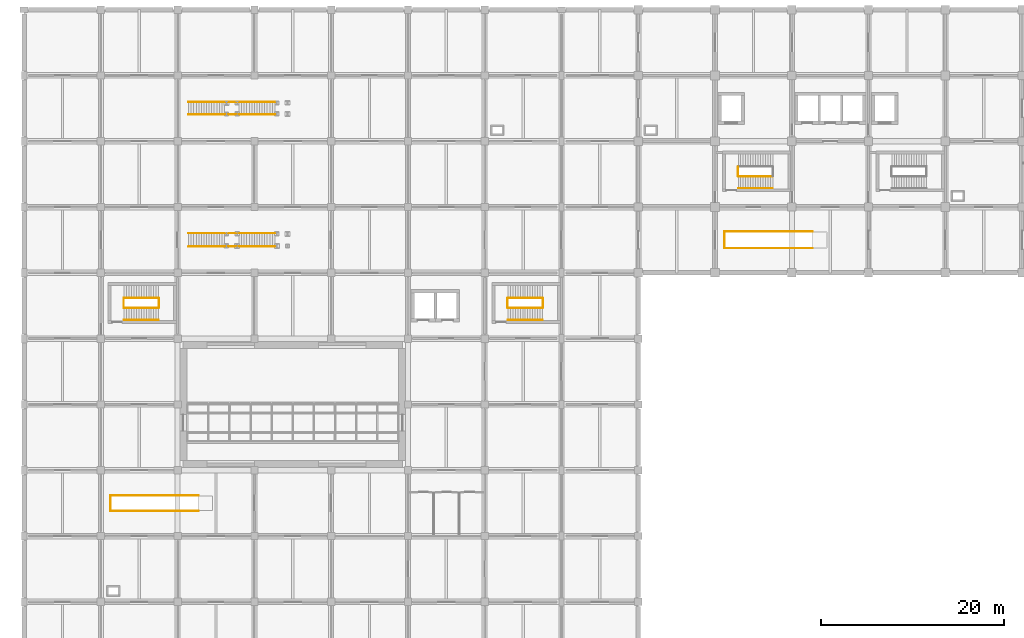
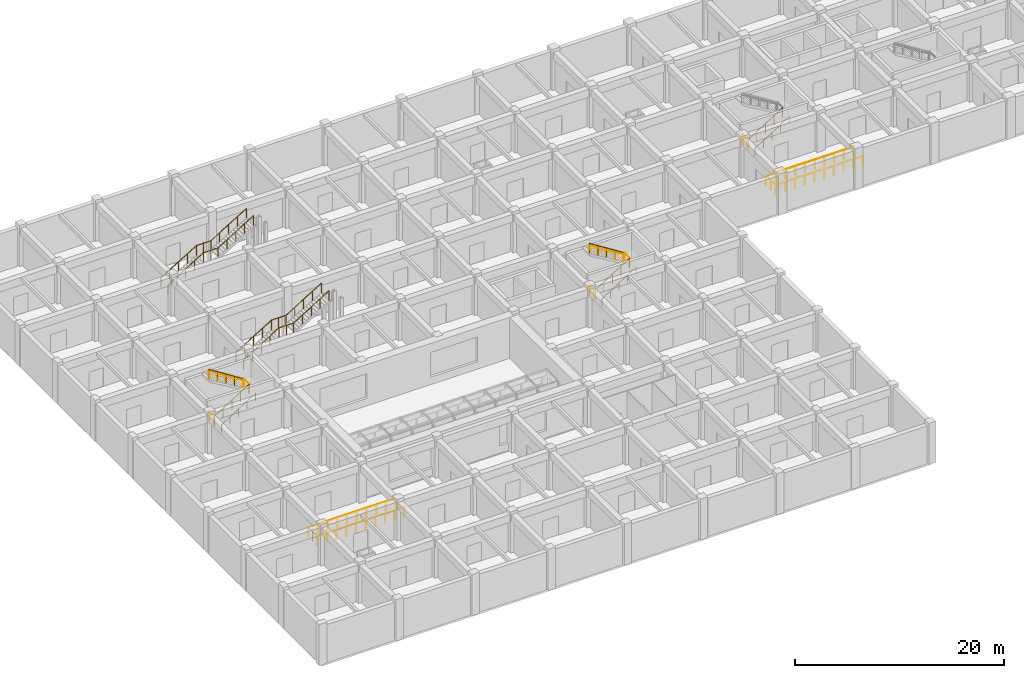
# One storey, part 31 of 32: 33 railings.
"""IFC4 building model written with IfcOpenShell, lengths in metres."""

from ifc_helpers import new_model, si_unit, derived_unit, direction, frame, origin, origin_2d, place, context, subcontext, project, spatial, circle, extrude, material, layer, layer_set, type_object, element, save


model = new_model("IFC4")

# Units and contexts
model_context = context("Model", 3, precision=1e-05, world=origin(), true_north=direction((0.0, 1.0)))
body_context = subcontext(model_context, "Body", "Model", "MODEL_VIEW")
ifc_project = project(units=[si_unit("LENGTHUNIT", "METRE"), si_unit("AREAUNIT", "SQUARE_METRE"), si_unit("VOLUMEUNIT", "CUBIC_METRE"), si_unit("PLANEANGLEUNIT", "RADIAN"), si_unit("MASSUNIT", "GRAM", prefix="KILO"), derived_unit("THERMALTRANSMITTANCEUNIT", [(si_unit("MASSUNIT", "GRAM", prefix="KILO"), 1), (si_unit("TIMEUNIT", "SECOND"), -3), (si_unit("THERMODYNAMICTEMPERATUREUNIT", "KELVIN"), -1)])], contexts=[model_context])

# Site, building, storey
site_placement = place(None, origin())
site = spatial("IfcSite", under=ifc_project, at=site_placement, CompositionType="ELEMENT")
building_placement = place(site_placement, origin())
building = spatial("IfcBuilding", under=site, at=building_placement, Name="Veldstrom Oceanarium and Marine Research Institute", CompositionType="ELEMENT")
storey_placement = place(building_placement, frame((0.0, 0.0, -4.800048828125)))
storey = spatial("IfcBuildingStorey", under=building, at=storey_placement, Name="B01", CompositionType="ELEMENT", Elevation=-4.800048828125)

# Railings
ifc_material_1 = material(Name="Duplex Stainless Steel Balustrade", Category="steel")
ifc_layer_1 = layer(ifc_material_1, 0.06005859375)
ifc_layer_set_1 = layer_set([ifc_layer_1], Name="ARC-RLG-GR1")
railing_type_1 = type_object("IfcRailingType", Name="ARC-RLG-GR1", PredefinedType="GUARDRAIL", material=ifc_layer_set_1)
railing_1_placement = place(storey_placement, frame((78.10009765625, 53.800048828125, 0.0)))
element("IfcRailing", 1, at=railing_1_placement, inside=storey, type_object=railing_type_1, Name="Stair Well Landing Guard ST1 B01", PredefinedType="GUARDRAIL", context=body_context, shape_type="SweptSolid", body=[
    extrude(circle(Radius=0.02392578125, at=origin_2d()), frame((0.0, 0.0, 1.09619140625), z_axis=(0.0, 1.0, 0.0), x_axis=(-1.0, 0.0, 0.0)), (0.0, 0.0, 1.0), 1.0),
    extrude(circle(Radius=0.02099609375, at=origin_2d()), origin(), (0.0, 0.0, 1.0), 1.072021484375),
    extrude(circle(Radius=0.02099609375, at=origin_2d()), frame((0.0, 1.0, 0.0)), (0.0, 0.0, 1.0), 1.072021484375),
])
railing_2_placement = place(storey_placement, frame((78.139892578125, 53.760009765625, 0.0)))
element("IfcRailing", 2, at=railing_2_placement, inside=storey, type_object=railing_type_1, Name="Stair Flight Guardrail ST1-B01-1", PredefinedType="GUARDRAIL", context=body_context, shape_type="SweptSolid", body=[
    extrude(circle(Radius=0.02392578125, at=origin_2d()), frame((0.0, 0.0, 1.09619140625), z_axis=(0.844199891302, 0.0, 0.536028491338), x_axis=(0.0, 1.0, 0.0)), (0.0, 0.0, 1.0), 4.4775390625),
    extrude(circle(Radius=0.02099609375, at=origin_2d()), origin(), (0.0, 0.0, 1.0), 1.072021484375),
    extrude(circle(Radius=0.02099609375, at=origin_2d()), frame((0.945068359375, 0.0, 0.60009765625)), (0.0, 0.0, 1.0), 1.072021484375),
    extrude(circle(Radius=0.02099609375, at=origin_2d()), frame((1.89013671875, 0.0, 1.2001953125)), (0.0, 0.0, 1.0), 1.072021484375),
    extrude(circle(Radius=0.02099609375, at=origin_2d()), frame((2.8349609375, 0.0, 1.800048828125)), (0.0, 0.0, 1.0), 1.072021484375),
    extrude(circle(Radius=0.02099609375, at=origin_2d()), frame((3.780029296875, 0.0, 2.400146484375)), (0.0, 0.0, 1.0), 1.072021484375),
])
railing_3_placement = place(storey_placement, frame((10.89990234375, 39.39990234375, 0.0)))
element("IfcRailing", 3, at=railing_3_placement, inside=storey, type_object=railing_type_1, Name="Stair Well Landing Guard ST3 B01", PredefinedType="GUARDRAIL", context=body_context, shape_type="SweptSolid", body=[
    extrude(circle(Radius=0.02392578125, at=origin_2d()), frame((0.0, 0.0, 1.09619140625), z_axis=(0.0, 1.0, 0.0), x_axis=(-1.0, 0.0, 0.0)), (0.0, 0.0, 1.0), 1.0),
    extrude(circle(Radius=0.02099609375, at=origin_2d()), origin(), (0.0, 0.0, 1.0), 1.072021484375),
    extrude(circle(Radius=0.02099609375, at=origin_2d()), frame((0.0, 1.0, 0.0)), (0.0, 0.0, 1.0), 1.072021484375),
])
railing_4_placement = place(storey_placement, frame((10.93994140625, 39.360107421875, 0.0)))
element("IfcRailing", 4, at=railing_4_placement, inside=storey, type_object=railing_type_1, Name="Stair Flight Guardrail ST3-B01-1", PredefinedType="GUARDRAIL", context=body_context, shape_type="SweptSolid", body=[
    extrude(circle(Radius=0.02392578125, at=origin_2d()), frame((0.0, 0.0, 1.09619140625), z_axis=(0.844199891302, 0.0, 0.536028491338), x_axis=(0.0, 1.0, 0.0)), (0.0, 0.0, 1.0), 4.4775390625),
    extrude(circle(Radius=0.02099609375, at=origin_2d()), origin(), (0.0, 0.0, 1.0), 1.072021484375),
    extrude(circle(Radius=0.02099609375, at=origin_2d()), frame((0.945068359375, 0.0, 0.60009765625)), (0.0, 0.0, 1.0), 1.072021484375),
    extrude(circle(Radius=0.02099609375, at=origin_2d()), frame((1.89013671875, 0.0, 1.2001953125)), (0.0, 0.0, 1.0), 1.072021484375),
    extrude(circle(Radius=0.02099609375, at=origin_2d()), frame((2.8349609375, 0.0, 1.800048828125)), (0.0, 0.0, 1.0), 1.072021484375),
    extrude(circle(Radius=0.02099609375, at=origin_2d()), frame((3.780029296875, 0.0, 2.400146484375)), (0.0, 0.0, 1.0), 1.072021484375),
])
railing_5_placement = place(storey_placement, frame((14.760009765625, 39.39990234375, 2.400146484375)))
element("IfcRailing", 5, at=railing_5_placement, inside=storey, type_object=railing_type_1, Name="Stair Half-Landing Guardrail ST3-B01", PredefinedType="GUARDRAIL", context=body_context, shape_type="SweptSolid", body=[
    extrude(circle(Radius=0.02392578125, at=origin_2d()), frame((0.0, 0.0, 1.09619140625), z_axis=(0.0, 1.0, 0.0), x_axis=(-1.0, 0.0, 0.0)), (0.0, 0.0, 1.0), 1.0),
    extrude(circle(Radius=0.02099609375, at=origin_2d()), origin(), (0.0, 0.0, 1.0), 1.072021484375),
    extrude(circle(Radius=0.02099609375, at=origin_2d()), frame((0.0, 1.0, 0.0)), (0.0, 0.0, 1.0), 1.072021484375),
])
railing_6_placement = place(storey_placement, frame((14.719970703125, 40.43994140625, 2.400146484375)))
element("IfcRailing", 6, at=railing_6_placement, inside=storey, type_object=railing_type_1, Name="Stair Flight Guardrail ST3-B01-2", PredefinedType="GUARDRAIL", context=body_context, shape_type="SweptSolid", body=[
    extrude(circle(Radius=0.02392578125, at=origin_2d()), frame((0.0, 0.0, 1.09619140625), z_axis=(-0.844224564207, 0.0, 0.535989631606), x_axis=(0.0, -1.0, 0.0)), (0.0, 0.0, 1.0), 4.4775390625),
    extrude(circle(Radius=0.02099609375, at=origin_2d()), origin(), (0.0, 0.0, 1.0), 1.072021484375),
    extrude(circle(Radius=0.02099609375, at=origin_2d()), frame((-0.945068359375, 0.0, 0.60009765625)), (0.0, 0.0, 1.0), 1.072021484375),
    extrude(circle(Radius=0.02099609375, at=origin_2d()), frame((-1.89013671875, 0.0, 1.199951171875)), (0.0, 0.0, 1.0), 1.072021484375),
    extrude(circle(Radius=0.02099609375, at=origin_2d()), frame((-2.8349609375, 0.0, 1.7998046875)), (0.0, 0.0, 1.0), 1.072021484375),
    extrude(circle(Radius=0.02099609375, at=origin_2d()), frame((-3.780029296875, 0.0, 2.39990234375)), (0.0, 0.0, 1.0), 1.072021484375),
])
railing_7_placement = place(storey_placement, frame((52.89990234375, 39.39990234375, 0.0)))
element("IfcRailing", 7, at=railing_7_placement, inside=storey, type_object=railing_type_1, Name="Stair Well Landing Guard ST6 B01", PredefinedType="GUARDRAIL", context=body_context, shape_type="SweptSolid", body=[
    extrude(circle(Radius=0.02392578125, at=origin_2d()), frame((0.0, 0.0, 1.09619140625), z_axis=(0.0, 1.0, 0.0), x_axis=(-1.0, 0.0, 0.0)), (0.0, 0.0, 1.0), 1.0),
    extrude(circle(Radius=0.02099609375, at=origin_2d()), origin(), (0.0, 0.0, 1.0), 1.072021484375),
    extrude(circle(Radius=0.02099609375, at=origin_2d()), frame((0.0, 1.0, 0.0)), (0.0, 0.0, 1.0), 1.072021484375),
])
railing_8_placement = place(storey_placement, frame((52.93994140625, 39.360107421875, 0.0)))
element("IfcRailing", 8, at=railing_8_placement, inside=storey, type_object=railing_type_1, Name="Stair Flight Guardrail ST6-B01-1", PredefinedType="GUARDRAIL", context=body_context, shape_type="SweptSolid", body=[
    extrude(circle(Radius=0.02392578125, at=origin_2d()), frame((0.0, 0.0, 1.09619140625), z_axis=(0.844199891302, 0.0, 0.536028491338), x_axis=(0.0, 1.0, 0.0)), (0.0, 0.0, 1.0), 4.4775390625),
    extrude(circle(Radius=0.02099609375, at=origin_2d()), origin(), (0.0, 0.0, 1.0), 1.072021484375),
    extrude(circle(Radius=0.02099609375, at=origin_2d()), frame((0.945068359375, 0.0, 0.60009765625)), (0.0, 0.0, 1.0), 1.072021484375),
    extrude(circle(Radius=0.02099609375, at=origin_2d()), frame((1.89013671875, 0.0, 1.2001953125)), (0.0, 0.0, 1.0), 1.072021484375),
    extrude(circle(Radius=0.02099609375, at=origin_2d()), frame((2.8349609375, 0.0, 1.800048828125)), (0.0, 0.0, 1.0), 1.072021484375),
    extrude(circle(Radius=0.02099609375, at=origin_2d()), frame((3.780029296875, 0.0, 2.400146484375)), (0.0, 0.0, 1.0), 1.072021484375),
])
railing_9_placement = place(storey_placement, frame((56.760009765625, 39.39990234375, 2.400146484375)))
element("IfcRailing", 9, at=railing_9_placement, inside=storey, type_object=railing_type_1, Name="Stair Half-Landing Guardrail ST6-B01", PredefinedType="GUARDRAIL", context=body_context, shape_type="SweptSolid", body=[
    extrude(circle(Radius=0.02392578125, at=origin_2d()), frame((0.0, 0.0, 1.09619140625), z_axis=(0.0, 1.0, 0.0), x_axis=(-1.0, 0.0, 0.0)), (0.0, 0.0, 1.0), 1.0),
    extrude(circle(Radius=0.02099609375, at=origin_2d()), origin(), (0.0, 0.0, 1.0), 1.072021484375),
    extrude(circle(Radius=0.02099609375, at=origin_2d()), frame((0.0, 1.0, 0.0)), (0.0, 0.0, 1.0), 1.072021484375),
])
railing_10_placement = place(storey_placement, frame((56.719970703125, 40.43994140625, 2.400146484375)))
element("IfcRailing", 10, at=railing_10_placement, inside=storey, type_object=railing_type_1, Name="Stair Flight Guardrail ST6-B01-2", PredefinedType="GUARDRAIL", context=body_context, shape_type="SweptSolid", body=[
    extrude(circle(Radius=0.02392578125, at=origin_2d()), frame((0.0, 0.0, 1.09619140625), z_axis=(-0.844224564207, 0.0, 0.535989631606), x_axis=(0.0, -1.0, 0.0)), (0.0, 0.0, 1.0), 4.4775390625),
    extrude(circle(Radius=0.02099609375, at=origin_2d()), origin(), (0.0, 0.0, 1.0), 1.072021484375),
    extrude(circle(Radius=0.02099609375, at=origin_2d()), frame((-0.945068359375, 0.0, 0.60009765625)), (0.0, 0.0, 1.0), 1.072021484375),
    extrude(circle(Radius=0.02099609375, at=origin_2d()), frame((-1.89013671875, 0.0, 1.199951171875)), (0.0, 0.0, 1.0), 1.072021484375),
    extrude(circle(Radius=0.02099609375, at=origin_2d()), frame((-2.8349609375, 0.0, 1.7998046875)), (0.0, 0.0, 1.0), 1.072021484375),
    extrude(circle(Radius=0.02099609375, at=origin_2d()), frame((-3.780029296875, 0.0, 2.39990234375)), (0.0, 0.0, 1.0), 1.072021484375),
])
railing_11_placement = place(storey_placement, frame((9.429931640625, 17.14501953125, 0.0)))
element("IfcRailing", 11, at=railing_11_placement, inside=storey, type_object=railing_type_1, Name="Gallery Stair Well Guardrail ST5-01-W", PredefinedType="GUARDRAIL", context=body_context, shape_type="SweptSolid", body=[
    extrude(circle(Radius=0.02392578125, at=origin_2d()), frame((0.0, 0.0, 1.09619140625), z_axis=(0.0, 1.0, 0.0), x_axis=(-1.0, 0.0, 0.0)), (0.0, 0.0, 1.0), 1.7099609375),
    extrude(circle(Radius=0.02099609375, at=origin_2d()), origin(), (0.0, 0.0, 1.0), 1.072021484375),
    extrude(circle(Radius=0.02099609375, at=origin_2d()), frame((0.0, 0.85498046875, 0.0)), (0.0, 0.0, 1.0), 1.072021484375),
    extrude(circle(Radius=0.02099609375, at=origin_2d()), frame((0.0, 1.7099609375, 0.0)), (0.0, 0.0, 1.0), 1.072021484375),
])
for number, where, name in (
    (12, (9.429931640625, 17.14501953125, 0.0), "Gallery Stair Well Guardrail ST5-01-S"),
    (13, (9.429931640625, 18.85498046875, 0.0), "Gallery Stair Well Guardrail ST5-01-N"),
):
    element("IfcRailing", number, at=place(storey_placement, frame(where)), inside=storey, type_object=railing_type_1, Name=name, PredefinedType="GUARDRAIL", context=body_context, shape_type="SweptSolid", body=[
        extrude(circle(Radius=0.02392578125, at=origin_2d()), frame((0.0, 0.0, 1.09619140625), z_axis=(1.0, 0.0, 0.0), x_axis=(0.0, 1.0, 0.0)), (0.0, 0.0, 1.0), 9.66015625),
        extrude(circle(Radius=0.02099609375, at=origin_2d()), origin(), (0.0, 0.0, 1.0), 1.072021484375),
        extrude(circle(Radius=0.02099609375, at=origin_2d()), frame((1.0732421875, 0.0, 0.0)), (0.0, 0.0, 1.0), 1.072021484375),
        extrude(circle(Radius=0.02099609375, at=origin_2d()), frame((2.146728515625, 0.0, 0.0)), (0.0, 0.0, 1.0), 1.072021484375),
        extrude(circle(Radius=0.02099609375, at=origin_2d()), frame((3.219970703125, 0.0, 0.0)), (0.0, 0.0, 1.0), 1.072021484375),
        extrude(circle(Radius=0.02099609375, at=origin_2d()), frame((4.29345703125, 0.0, 0.0)), (0.0, 0.0, 1.0), 1.072021484375),
        extrude(circle(Radius=0.02099609375, at=origin_2d()), frame((5.36669921875, 0.0, 0.0)), (0.0, 0.0, 1.0), 1.072021484375),
        extrude(circle(Radius=0.02099609375, at=origin_2d()), frame((6.440185546875, 0.0, 0.0)), (0.0, 0.0, 1.0), 1.072021484375),
        extrude(circle(Radius=0.02099609375, at=origin_2d()), frame((7.513427734375, 0.0, 0.0)), (0.0, 0.0, 1.0), 1.072021484375),
        extrude(circle(Radius=0.02099609375, at=origin_2d()), frame((8.5869140625, 0.0, 0.0)), (0.0, 0.0, 1.0), 1.072021484375),
        extrude(circle(Radius=0.02099609375, at=origin_2d()), frame((9.66015625, 0.0, 0.0)), (0.0, 0.0, 1.0), 1.072021484375),
    ])
railing_12_placement = place(storey_placement, frame((76.6298828125, 45.89501953125, 0.0)))
element("IfcRailing", 14, at=railing_12_placement, inside=storey, type_object=railing_type_1, Name="Gallery Stair Well Guardrail ST5-02-W", PredefinedType="GUARDRAIL", context=body_context, shape_type="SweptSolid", body=[
    extrude(circle(Radius=0.02392578125, at=origin_2d()), frame((0.0, 0.0, 1.09619140625), z_axis=(0.0, 1.0, 0.0), x_axis=(-1.0, 0.0, 0.0)), (0.0, 0.0, 1.0), 1.81005859375),
    extrude(circle(Radius=0.02099609375, at=origin_2d()), origin(), (0.0, 0.0, 1.0), 1.072021484375),
    extrude(circle(Radius=0.02099609375, at=origin_2d()), frame((0.0, 0.905029296875, 0.0)), (0.0, 0.0, 1.0), 1.072021484375),
    extrude(circle(Radius=0.02099609375, at=origin_2d()), frame((0.0, 1.81005859375, 0.0)), (0.0, 0.0, 1.0), 1.072021484375),
])
for number, where, name in (
    (15, (76.6298828125, 45.89501953125, 0.0), "Gallery Stair Well Guardrail ST5-02-S"),
    (16, (76.6298828125, 47.705078125, 0.0), "Gallery Stair Well Guardrail ST5-02-N"),
):
    element("IfcRailing", number, at=place(storey_placement, frame(where)), inside=storey, type_object=railing_type_1, Name=name, PredefinedType="GUARDRAIL", context=body_context, shape_type="SweptSolid", body=[
        extrude(circle(Radius=0.02392578125, at=origin_2d()), frame((0.0, 0.0, 1.09619140625), z_axis=(1.0, 0.0, 0.0), x_axis=(0.0, 1.0, 0.0)), (0.0, 0.0, 1.0), 9.66015625),
        extrude(circle(Radius=0.02099609375, at=origin_2d()), origin(), (0.0, 0.0, 1.0), 1.072021484375),
        extrude(circle(Radius=0.02099609375, at=origin_2d()), frame((1.0732421875, 0.0, 0.0)), (0.0, 0.0, 1.0), 1.072021484375),
        extrude(circle(Radius=0.02099609375, at=origin_2d()), frame((2.146728515625, 0.0, 0.0)), (0.0, 0.0, 1.0), 1.072021484375),
        extrude(circle(Radius=0.02099609375, at=origin_2d()), frame((3.219970703125, 0.0, 0.0)), (0.0, 0.0, 1.0), 1.072021484375),
        extrude(circle(Radius=0.02099609375, at=origin_2d()), frame((4.29345703125, 0.0, 0.0)), (0.0, 0.0, 1.0), 1.072021484375),
        extrude(circle(Radius=0.02099609375, at=origin_2d()), frame((5.36669921875, 0.0, 0.0)), (0.0, 0.0, 1.0), 1.072021484375),
        extrude(circle(Radius=0.02099609375, at=origin_2d()), frame((6.440185546875, 0.0, 0.0)), (0.0, 0.0, 1.0), 1.072021484375),
        extrude(circle(Radius=0.02099609375, at=origin_2d()), frame((7.513427734375, 0.0, 0.0)), (0.0, 0.0, 1.0), 1.072021484375),
        extrude(circle(Radius=0.02099609375, at=origin_2d()), frame((8.5869140625, 0.0, 0.0)), (0.0, 0.0, 1.0), 1.072021484375),
        extrude(circle(Radius=0.02099609375, at=origin_2d()), frame((9.66015625, 0.0, 0.0)), (0.0, 0.0, 1.0), 1.072021484375),
    ])
railing_13_placement = place(storey_placement, frame((18.0, 46.06494140625, 0.0)))
element("IfcRailing", 17, at=railing_13_placement, inside=storey, type_object=railing_type_1, Name="Gallery Stair Flight Guard ST5-04-1S", PredefinedType="GUARDRAIL", context=body_context, shape_type="SweptSolid", body=[
    extrude(circle(Radius=0.02392578125, at=origin_2d()), frame((0.0, 0.0, 1.09619140625), z_axis=(0.852832477147, 0.0, 0.522184609045), x_axis=(0.0, 1.0, 0.0)), (0.0, 0.0, 1.0), 4.596435546875),
    extrude(circle(Radius=0.02099609375, at=origin_2d()), origin(), (0.0, 0.0, 1.0), 1.072021484375),
    extrude(circle(Radius=0.02099609375, at=origin_2d()), frame((0.97998046875, 0.0, 0.60009765625)), (0.0, 0.0, 1.0), 1.072021484375),
    extrude(circle(Radius=0.02099609375, at=origin_2d()), frame((1.9599609375, 0.0, 1.2001953125)), (0.0, 0.0, 1.0), 1.072021484375),
    extrude(circle(Radius=0.02099609375, at=origin_2d()), frame((2.93994140625, 0.0, 1.800048828125)), (0.0, 0.0, 1.0), 1.072021484375),
    extrude(circle(Radius=0.02099609375, at=origin_2d()), frame((3.919921875, 0.0, 2.400146484375)), (0.0, 0.0, 1.0), 1.072021484375),
])
railing_14_placement = place(storey_placement, frame((21.919921875, 46.06494140625, 2.400146484375)))
element("IfcRailing", 18, at=railing_14_placement, inside=storey, type_object=railing_type_1, Name="Gallery Stair Landing Guard ST5-04-MS", PredefinedType="GUARDRAIL", context=body_context, shape_type="SweptSolid", body=[
    extrude(circle(Radius=0.02392578125, at=origin_2d()), frame((0.0, 0.0, 1.09619140625), z_axis=(1.0, 0.0, 0.0), x_axis=(0.0, 1.0, 0.0)), (0.0, 0.0, 1.0), 1.60009765625),
    extrude(circle(Radius=0.02099609375, at=origin_2d()), origin(), (0.0, 0.0, 1.0), 1.072021484375),
    extrude(circle(Radius=0.02099609375, at=origin_2d()), frame((0.800048828125, 0.0, 0.0)), (0.0, 0.0, 1.0), 1.072021484375),
    extrude(circle(Radius=0.02099609375, at=origin_2d()), frame((1.60009765625, 0.0, 0.0)), (0.0, 0.0, 1.0), 1.072021484375),
])
railing_15_placement = place(storey_placement, frame((23.52001953125, 46.06494140625, 2.400146484375)))
element("IfcRailing", 19, at=railing_15_placement, inside=storey, type_object=railing_type_1, Name="Gallery Stair Flight Guard ST5-04-2S", PredefinedType="GUARDRAIL", context=body_context, shape_type="SweptSolid", body=[
    extrude(circle(Radius=0.02392578125, at=origin_2d()), frame((0.0, 0.0, 1.09619140625), z_axis=(0.852856131449, 0.0, 0.522145974847), x_axis=(0.0, 1.0, 0.0)), (0.0, 0.0, 1.0), 4.59619140625),
    extrude(circle(Radius=0.02099609375, at=origin_2d()), origin(), (0.0, 0.0, 1.0), 1.072021484375),
    extrude(circle(Radius=0.02099609375, at=origin_2d()), frame((0.97998046875, 0.0, 0.60009765625)), (0.0, 0.0, 1.0), 1.072021484375),
    extrude(circle(Radius=0.02099609375, at=origin_2d()), frame((1.9599609375, 0.0, 1.199951171875)), (0.0, 0.0, 1.0), 1.072021484375),
    extrude(circle(Radius=0.02099609375, at=origin_2d()), frame((2.93994140625, 0.0, 1.7998046875)), (0.0, 0.0, 1.0), 1.072021484375),
    extrude(circle(Radius=0.02099609375, at=origin_2d()), frame((3.919921875, 0.0, 2.39990234375)), (0.0, 0.0, 1.0), 1.072021484375),
])
railing_16_placement = place(storey_placement, frame((18.0, 47.534912109375, 0.0)))
element("IfcRailing", 20, at=railing_16_placement, inside=storey, type_object=railing_type_1, Name="Gallery Stair Flight Guard ST5-04-1N", PredefinedType="GUARDRAIL", context=body_context, shape_type="SweptSolid", body=[
    extrude(circle(Radius=0.02392578125, at=origin_2d()), frame((0.0, 0.0, 1.09619140625), z_axis=(0.852832477147, 0.0, 0.522184609045), x_axis=(0.0, 1.0, 0.0)), (0.0, 0.0, 1.0), 4.596435546875),
    extrude(circle(Radius=0.02099609375, at=origin_2d()), origin(), (0.0, 0.0, 1.0), 1.072021484375),
    extrude(circle(Radius=0.02099609375, at=origin_2d()), frame((0.97998046875, 0.0, 0.60009765625)), (0.0, 0.0, 1.0), 1.072021484375),
    extrude(circle(Radius=0.02099609375, at=origin_2d()), frame((1.9599609375, 0.0, 1.2001953125)), (0.0, 0.0, 1.0), 1.072021484375),
    extrude(circle(Radius=0.02099609375, at=origin_2d()), frame((2.93994140625, 0.0, 1.800048828125)), (0.0, 0.0, 1.0), 1.072021484375),
    extrude(circle(Radius=0.02099609375, at=origin_2d()), frame((3.919921875, 0.0, 2.400146484375)), (0.0, 0.0, 1.0), 1.072021484375),
])
railing_17_placement = place(storey_placement, frame((21.919921875, 47.534912109375, 2.400146484375)))
element("IfcRailing", 21, at=railing_17_placement, inside=storey, type_object=railing_type_1, Name="Gallery Stair Landing Guard ST5-04-MN", PredefinedType="GUARDRAIL", context=body_context, shape_type="SweptSolid", body=[
    extrude(circle(Radius=0.02392578125, at=origin_2d()), frame((0.0, 0.0, 1.09619140625), z_axis=(1.0, 0.0, 0.0), x_axis=(0.0, 1.0, 0.0)), (0.0, 0.0, 1.0), 1.60009765625),
    extrude(circle(Radius=0.02099609375, at=origin_2d()), origin(), (0.0, 0.0, 1.0), 1.072021484375),
    extrude(circle(Radius=0.02099609375, at=origin_2d()), frame((0.800048828125, 0.0, 0.0)), (0.0, 0.0, 1.0), 1.072021484375),
    extrude(circle(Radius=0.02099609375, at=origin_2d()), frame((1.60009765625, 0.0, 0.0)), (0.0, 0.0, 1.0), 1.072021484375),
])
railing_18_placement = place(storey_placement, frame((23.52001953125, 47.534912109375, 2.400146484375)))
element("IfcRailing", 22, at=railing_18_placement, inside=storey, type_object=railing_type_1, Name="Gallery Stair Flight Guard ST5-04-2N", PredefinedType="GUARDRAIL", context=body_context, shape_type="SweptSolid", body=[
    extrude(circle(Radius=0.02392578125, at=origin_2d()), frame((0.0, 0.0, 1.09619140625), z_axis=(0.852856131449, 0.0, 0.522145974847), x_axis=(0.0, 1.0, 0.0)), (0.0, 0.0, 1.0), 4.59619140625),
    extrude(circle(Radius=0.02099609375, at=origin_2d()), origin(), (0.0, 0.0, 1.0), 1.072021484375),
    extrude(circle(Radius=0.02099609375, at=origin_2d()), frame((0.97998046875, 0.0, 0.60009765625)), (0.0, 0.0, 1.0), 1.072021484375),
    extrude(circle(Radius=0.02099609375, at=origin_2d()), frame((1.9599609375, 0.0, 1.199951171875)), (0.0, 0.0, 1.0), 1.072021484375),
    extrude(circle(Radius=0.02099609375, at=origin_2d()), frame((2.93994140625, 0.0, 1.7998046875)), (0.0, 0.0, 1.0), 1.072021484375),
    extrude(circle(Radius=0.02099609375, at=origin_2d()), frame((3.919921875, 0.0, 2.39990234375)), (0.0, 0.0, 1.0), 1.072021484375),
])
railing_19_placement = place(storey_placement, frame((18.0, 60.514892578125, 0.0)))
element("IfcRailing", 23, at=railing_19_placement, inside=storey, type_object=railing_type_1, Name="Gallery Stair Flight Guard ST5-05-1S", PredefinedType="GUARDRAIL", context=body_context, shape_type="SweptSolid", body=[
    extrude(circle(Radius=0.02392578125, at=origin_2d()), frame((0.0, 0.0, 1.09619140625), z_axis=(0.852832477147, 0.0, 0.522184609045), x_axis=(0.0, 1.0, 0.0)), (0.0, 0.0, 1.0), 4.596435546875),
    extrude(circle(Radius=0.02099609375, at=origin_2d()), origin(), (0.0, 0.0, 1.0), 1.072021484375),
    extrude(circle(Radius=0.02099609375, at=origin_2d()), frame((0.97998046875, 0.0, 0.60009765625)), (0.0, 0.0, 1.0), 1.072021484375),
    extrude(circle(Radius=0.02099609375, at=origin_2d()), frame((1.9599609375, 0.0, 1.2001953125)), (0.0, 0.0, 1.0), 1.072021484375),
    extrude(circle(Radius=0.02099609375, at=origin_2d()), frame((2.93994140625, 0.0, 1.800048828125)), (0.0, 0.0, 1.0), 1.072021484375),
    extrude(circle(Radius=0.02099609375, at=origin_2d()), frame((3.919921875, 0.0, 2.400146484375)), (0.0, 0.0, 1.0), 1.072021484375),
])
railing_20_placement = place(storey_placement, frame((21.919921875, 60.514892578125, 2.400146484375)))
element("IfcRailing", 24, at=railing_20_placement, inside=storey, type_object=railing_type_1, Name="Gallery Stair Landing Guard ST5-05-MS", PredefinedType="GUARDRAIL", context=body_context, shape_type="SweptSolid", body=[
    extrude(circle(Radius=0.02392578125, at=origin_2d()), frame((0.0, 0.0, 1.09619140625), z_axis=(1.0, 0.0, 0.0), x_axis=(0.0, 1.0, 0.0)), (0.0, 0.0, 1.0), 1.60009765625),
    extrude(circle(Radius=0.02099609375, at=origin_2d()), origin(), (0.0, 0.0, 1.0), 1.072021484375),
    extrude(circle(Radius=0.02099609375, at=origin_2d()), frame((0.800048828125, 0.0, 0.0)), (0.0, 0.0, 1.0), 1.072021484375),
    extrude(circle(Radius=0.02099609375, at=origin_2d()), frame((1.60009765625, 0.0, 0.0)), (0.0, 0.0, 1.0), 1.072021484375),
])
railing_21_placement = place(storey_placement, frame((23.52001953125, 60.514892578125, 2.400146484375)))
element("IfcRailing", 25, at=railing_21_placement, inside=storey, type_object=railing_type_1, Name="Gallery Stair Flight Guard ST5-05-2S", PredefinedType="GUARDRAIL", context=body_context, shape_type="SweptSolid", body=[
    extrude(circle(Radius=0.02392578125, at=origin_2d()), frame((0.0, 0.0, 1.09619140625), z_axis=(0.852856131449, 0.0, 0.522145974847), x_axis=(0.0, 1.0, 0.0)), (0.0, 0.0, 1.0), 4.59619140625),
    extrude(circle(Radius=0.02099609375, at=origin_2d()), origin(), (0.0, 0.0, 1.0), 1.072021484375),
    extrude(circle(Radius=0.02099609375, at=origin_2d()), frame((0.97998046875, 0.0, 0.60009765625)), (0.0, 0.0, 1.0), 1.072021484375),
    extrude(circle(Radius=0.02099609375, at=origin_2d()), frame((1.9599609375, 0.0, 1.199951171875)), (0.0, 0.0, 1.0), 1.072021484375),
    extrude(circle(Radius=0.02099609375, at=origin_2d()), frame((2.93994140625, 0.0, 1.7998046875)), (0.0, 0.0, 1.0), 1.072021484375),
    extrude(circle(Radius=0.02099609375, at=origin_2d()), frame((3.919921875, 0.0, 2.39990234375)), (0.0, 0.0, 1.0), 1.072021484375),
])
railing_22_placement = place(storey_placement, frame((18.0, 61.885009765625, 0.0)))
element("IfcRailing", 26, at=railing_22_placement, inside=storey, type_object=railing_type_1, Name="Gallery Stair Flight Guard ST5-05-1N", PredefinedType="GUARDRAIL", context=body_context, shape_type="SweptSolid", body=[
    extrude(circle(Radius=0.02392578125, at=origin_2d()), frame((0.0, 0.0, 1.09619140625), z_axis=(0.852832477147, 0.0, 0.522184609045), x_axis=(0.0, 1.0, 0.0)), (0.0, 0.0, 1.0), 4.596435546875),
    extrude(circle(Radius=0.02099609375, at=origin_2d()), origin(), (0.0, 0.0, 1.0), 1.072021484375),
    extrude(circle(Radius=0.02099609375, at=origin_2d()), frame((0.97998046875, 0.0, 0.60009765625)), (0.0, 0.0, 1.0), 1.072021484375),
    extrude(circle(Radius=0.02099609375, at=origin_2d()), frame((1.9599609375, 0.0, 1.2001953125)), (0.0, 0.0, 1.0), 1.072021484375),
    extrude(circle(Radius=0.02099609375, at=origin_2d()), frame((2.93994140625, 0.0, 1.800048828125)), (0.0, 0.0, 1.0), 1.072021484375),
    extrude(circle(Radius=0.02099609375, at=origin_2d()), frame((3.919921875, 0.0, 2.400146484375)), (0.0, 0.0, 1.0), 1.072021484375),
])
railing_23_placement = place(storey_placement, frame((21.919921875, 61.885009765625, 2.400146484375)))
element("IfcRailing", 27, at=railing_23_placement, inside=storey, type_object=railing_type_1, Name="Gallery Stair Landing Guard ST5-05-MN", PredefinedType="GUARDRAIL", context=body_context, shape_type="SweptSolid", body=[
    extrude(circle(Radius=0.02392578125, at=origin_2d()), frame((0.0, 0.0, 1.09619140625), z_axis=(1.0, 0.0, 0.0), x_axis=(0.0, 1.0, 0.0)), (0.0, 0.0, 1.0), 1.60009765625),
    extrude(circle(Radius=0.02099609375, at=origin_2d()), origin(), (0.0, 0.0, 1.0), 1.072021484375),
    extrude(circle(Radius=0.02099609375, at=origin_2d()), frame((0.800048828125, 0.0, 0.0)), (0.0, 0.0, 1.0), 1.072021484375),
    extrude(circle(Radius=0.02099609375, at=origin_2d()), frame((1.60009765625, 0.0, 0.0)), (0.0, 0.0, 1.0), 1.072021484375),
])
railing_24_placement = place(storey_placement, frame((23.52001953125, 61.885009765625, 2.400146484375)))
element("IfcRailing", 28, at=railing_24_placement, inside=storey, type_object=railing_type_1, Name="Gallery Stair Flight Guard ST5-05-2N", PredefinedType="GUARDRAIL", context=body_context, shape_type="SweptSolid", body=[
    extrude(circle(Radius=0.02392578125, at=origin_2d()), frame((0.0, 0.0, 1.09619140625), z_axis=(0.852856131449, 0.0, 0.522145974847), x_axis=(0.0, 1.0, 0.0)), (0.0, 0.0, 1.0), 4.59619140625),
    extrude(circle(Radius=0.02099609375, at=origin_2d()), origin(), (0.0, 0.0, 1.0), 1.072021484375),
    extrude(circle(Radius=0.02099609375, at=origin_2d()), frame((0.97998046875, 0.0, 0.60009765625)), (0.0, 0.0, 1.0), 1.072021484375),
    extrude(circle(Radius=0.02099609375, at=origin_2d()), frame((1.9599609375, 0.0, 1.199951171875)), (0.0, 0.0, 1.0), 1.072021484375),
    extrude(circle(Radius=0.02099609375, at=origin_2d()), frame((2.93994140625, 0.0, 1.7998046875)), (0.0, 0.0, 1.0), 1.072021484375),
    extrude(circle(Radius=0.02099609375, at=origin_2d()), frame((3.919921875, 0.0, 2.39990234375)), (0.0, 0.0, 1.0), 1.072021484375),
])
ifc_material_2 = material(Name="Brushed Stainless Steel Handrail", Category="steel")
ifc_layer_2 = layer(ifc_material_2, 0.050048828125)
ifc_layer_set_2 = layer_set([ifc_layer_2], Name="ARC-RLG-HR1")
railing_type_2 = type_object("IfcRailingType", Name="ARC-RLG-HR1", PredefinedType="HANDRAIL", material=ifc_layer_set_2)
for number, where, name in (
    (29, (78.139892578125, 52.4599609375, 0.0), "Stair Wall Handrail ST1-B01-1"),
    (30, (10.93994140625, 38.06005859375, 0.0), "Stair Wall Handrail ST3-B01-1"),
):
    element("IfcRailing", number, at=place(storey_placement, frame(where)), inside=storey, type_object=railing_type_2, Name=name, PredefinedType="HANDRAIL", context=body_context, shape_type="SweptSolid", body=[
        extrude(circle(Radius=0.02392578125, at=origin_2d()), frame((0.0, 0.0, 0.8759765625), z_axis=(0.844199891302, 0.0, 0.536028491338), x_axis=(0.0, 1.0, 0.0)), (0.0, 0.0, 1.0), 4.4775390625),
        extrude(circle(Radius=0.02099609375, at=origin_2d()), origin(), (0.0, 0.0, 1.0), 0.851806640625),
        extrude(circle(Radius=0.02099609375, at=origin_2d()), frame((0.945068359375, 0.0, 0.60009765625)), (0.0, 0.0, 1.0), 0.851806640625),
        extrude(circle(Radius=0.02099609375, at=origin_2d()), frame((1.89013671875, 0.0, 1.2001953125)), (0.0, 0.0, 1.0), 0.851806640625),
        extrude(circle(Radius=0.02099609375, at=origin_2d()), frame((2.8349609375, 0.0, 1.800048828125)), (0.0, 0.0, 1.0), 0.851806640625),
        extrude(circle(Radius=0.02099609375, at=origin_2d()), frame((3.780029296875, 0.0, 2.400146484375)), (0.0, 0.0, 1.0), 0.851806640625),
    ])
railing_25_placement = place(storey_placement, frame((14.719970703125, 40.4599609375, 2.400146484375)))
element("IfcRailing", 31, at=railing_25_placement, inside=storey, type_object=railing_type_2, Name="Stair Wall Handrail ST3-B01-2", PredefinedType="HANDRAIL", context=body_context, shape_type="SweptSolid", body=[
    extrude(circle(Radius=0.02392578125, at=origin_2d()), frame((0.0, 0.0, 0.8759765625), z_axis=(-0.844224564207, 0.0, 0.535989631606), x_axis=(0.0, -1.0, 0.0)), (0.0, 0.0, 1.0), 4.4775390625),
    extrude(circle(Radius=0.02099609375, at=origin_2d()), origin(), (0.0, 0.0, 1.0), 0.851806640625),
    extrude(circle(Radius=0.02099609375, at=origin_2d()), frame((-0.945068359375, 0.0, 0.60009765625)), (0.0, 0.0, 1.0), 0.851806640625),
    extrude(circle(Radius=0.02099609375, at=origin_2d()), frame((-1.89013671875, 0.0, 1.199951171875)), (0.0, 0.0, 1.0), 0.851806640625),
    extrude(circle(Radius=0.02099609375, at=origin_2d()), frame((-2.8349609375, 0.0, 1.7998046875)), (0.0, 0.0, 1.0), 0.851806640625),
    extrude(circle(Radius=0.02099609375, at=origin_2d()), frame((-3.780029296875, 0.0, 2.39990234375)), (0.0, 0.0, 1.0), 0.851806640625),
])
railing_26_placement = place(storey_placement, frame((52.93994140625, 38.06005859375, 0.0)))
element("IfcRailing", 32, at=railing_26_placement, inside=storey, type_object=railing_type_2, Name="Stair Wall Handrail ST6-B01-1", PredefinedType="HANDRAIL", context=body_context, shape_type="SweptSolid", body=[
    extrude(circle(Radius=0.02392578125, at=origin_2d()), frame((0.0, 0.0, 0.8759765625), z_axis=(0.844199891302, 0.0, 0.536028491338), x_axis=(0.0, 1.0, 0.0)), (0.0, 0.0, 1.0), 4.4775390625),
    extrude(circle(Radius=0.02099609375, at=origin_2d()), origin(), (0.0, 0.0, 1.0), 0.851806640625),
    extrude(circle(Radius=0.02099609375, at=origin_2d()), frame((0.945068359375, 0.0, 0.60009765625)), (0.0, 0.0, 1.0), 0.851806640625),
    extrude(circle(Radius=0.02099609375, at=origin_2d()), frame((1.89013671875, 0.0, 1.2001953125)), (0.0, 0.0, 1.0), 0.851806640625),
    extrude(circle(Radius=0.02099609375, at=origin_2d()), frame((2.8349609375, 0.0, 1.800048828125)), (0.0, 0.0, 1.0), 0.851806640625),
    extrude(circle(Radius=0.02099609375, at=origin_2d()), frame((3.780029296875, 0.0, 2.400146484375)), (0.0, 0.0, 1.0), 0.851806640625),
])
railing_27_placement = place(storey_placement, frame((56.719970703125, 40.4599609375, 2.400146484375)))
element("IfcRailing", 33, at=railing_27_placement, inside=storey, type_object=railing_type_2, Name="Stair Wall Handrail ST6-B01-2", PredefinedType="HANDRAIL", context=body_context, shape_type="SweptSolid", body=[
    extrude(circle(Radius=0.02392578125, at=origin_2d()), frame((0.0, 0.0, 0.8759765625), z_axis=(-0.844224564207, 0.0, 0.535989631606), x_axis=(0.0, -1.0, 0.0)), (0.0, 0.0, 1.0), 4.4775390625),
    extrude(circle(Radius=0.02099609375, at=origin_2d()), origin(), (0.0, 0.0, 1.0), 0.851806640625),
    extrude(circle(Radius=0.02099609375, at=origin_2d()), frame((-0.945068359375, 0.0, 0.60009765625)), (0.0, 0.0, 1.0), 0.851806640625),
    extrude(circle(Radius=0.02099609375, at=origin_2d()), frame((-1.89013671875, 0.0, 1.199951171875)), (0.0, 0.0, 1.0), 0.851806640625),
    extrude(circle(Radius=0.02099609375, at=origin_2d()), frame((-2.8349609375, 0.0, 1.7998046875)), (0.0, 0.0, 1.0), 0.851806640625),
    extrude(circle(Radius=0.02099609375, at=origin_2d()), frame((-3.780029296875, 0.0, 2.39990234375)), (0.0, 0.0, 1.0), 0.851806640625),
])

save(model, "model.ifc")
